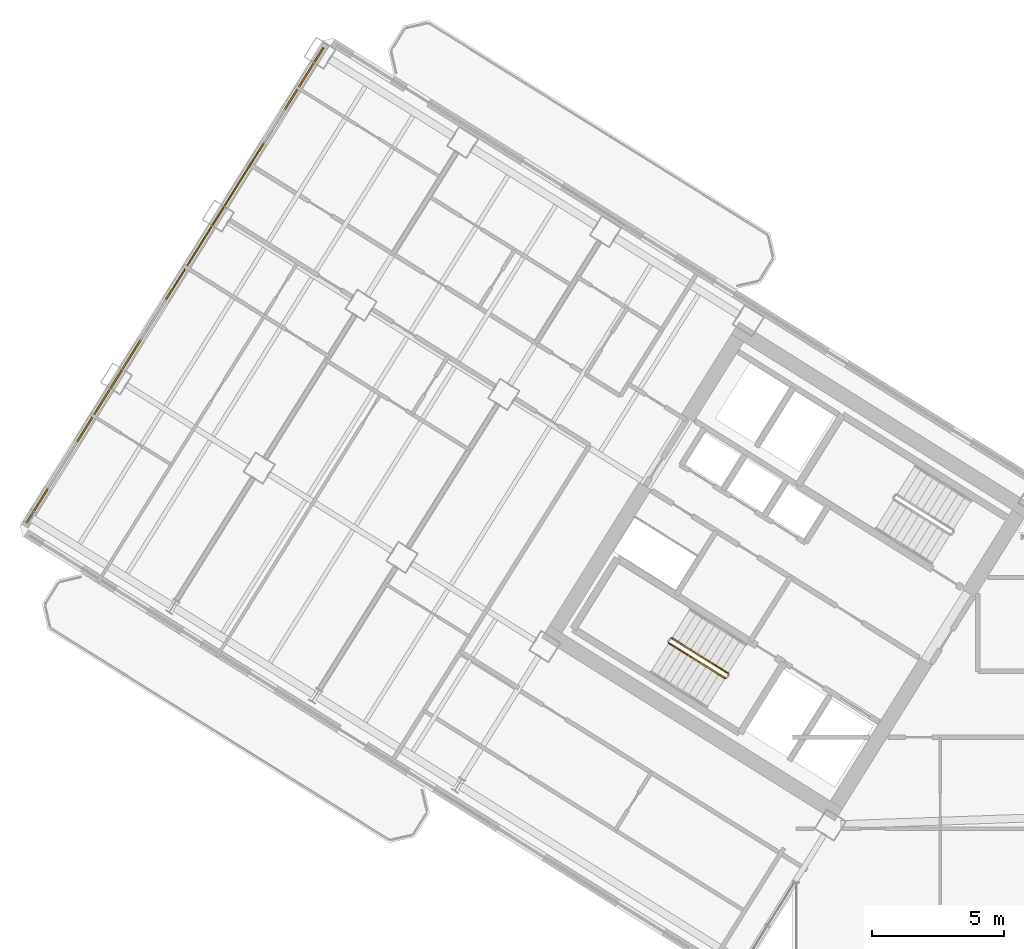
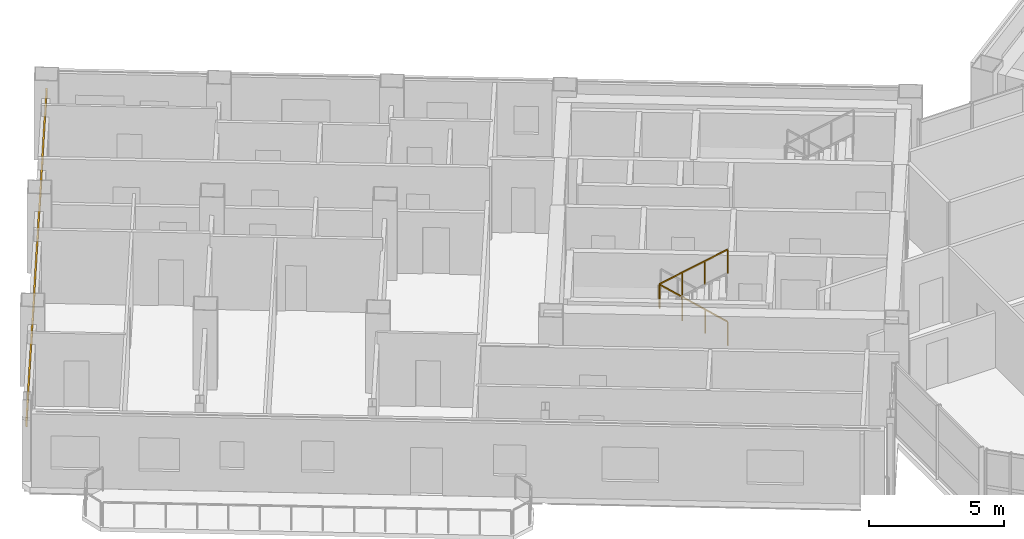
# One storey, part 24 of 29: 2 railings, 1 covering.
"""IFC4 building model written with IfcOpenShell, lengths in metres."""

from ifc_helpers import new_model, si_unit, direction, frame, origin, origin_2d, place, context, subcontext, project, spatial, rectangle, extrude, source, transform, mapped, material, layer, layer_set, type_object, element, save


model = new_model("IFC4")

# Units and contexts
model_context = context("Model", 3, precision=1e-05, world=origin(), true_north=direction((0.0, 1.0)))
body_context = subcontext(model_context, "Body", "Model", "MODEL_VIEW")
ifc_project = project(units=[si_unit("LENGTHUNIT", "METRE"), si_unit("AREAUNIT", "SQUARE_METRE"), si_unit("VOLUMEUNIT", "CUBIC_METRE"), si_unit("PLANEANGLEUNIT", "RADIAN"), si_unit("MASSUNIT", "GRAM", prefix="KILO")], contexts=[model_context])

# Site, building, storey
site_placement = place(None, origin())
site = spatial("IfcSite", under=ifc_project, at=site_placement, CompositionType="ELEMENT")
building_placement = place(site_placement, origin())
building = spatial("IfcBuilding", under=site, at=building_placement, Name="Tlacorven Tower", CompositionType="ELEMENT")
storey_placement = place(building_placement, frame((0.0, 0.0, 165.89990234375)))
storey = spatial("IfcBuildingStorey", under=building, at=storey_placement, Name="L42", CompositionType="ELEMENT", Elevation=165.89990234375)

# Covering
ifc_material_1 = material(Name="Precast concrete C45/55", Category="concrete")
ifc_layer = layer(ifc_material_1, 0.06005859375)
ifc_layer_set = layer_set([ifc_layer], Name="Precast concrete C45/55")
covering_type = type_object("IfcCoveringType", Name="CV-CLD-TERC", PredefinedType="CLADDING", material=ifc_layer_set)
shared_shape_1 = source(origin(), body_context, "Body", "SweptSolid", [
    extrude(rectangle(XDim=21.287353515625, YDim=0.06005859375, at=origin_2d()), origin(), (0.0, 0.0, 1.0), 0.419921875),
])
covering_placement = place(storey_placement, frame((8.13427734375, 32.606201171875, 2.375244140625), z_axis=(0.0, 0.0, 1.0), x_axis=(0.529918940959, 0.84804829816, 0.0)))
element("IfcCovering", 1, at=covering_placement, inside=storey, type_object=covering_type, Name="L42 Masonry-Frame Spandrel Cladding 2", PredefinedType="CLADDING", context=body_context, shape_type="MappedRepresentation", body=[
    mapped(shared_shape_1, transform((0.0, 0.0, 0.0), scale=1.0)),
])

# Railings
ifc_material_2 = material(Name="Aluminium and painted steel balustrade", Category="steel")
railing_type = type_object("IfcRailingType", Name="RL-GRD-1100", PredefinedType="GUARDRAIL", material=ifc_material_2)
shared_shape_2 = source(origin(), body_context, "Body", "SweptSolid", [
    extrude(rectangle(XDim=0.048095703125, YDim=0.048095703125, at=origin_2d()), frame((0.0, 0.0, 1.076171875), z_axis=(0.713359751793, -0.4457479829, 0.540764828981), x_axis=(0.529911857636, 0.848052724267, 0.0)), (0.0, 0.0, 1.0), 2.99609375),
    extrude(rectangle(XDim=0.0419921875, YDim=0.0419921875, at=origin_2d()), origin(), (0.0, 0.0, 1.0), 1.052001953125),
    extrude(rectangle(XDim=0.0419921875, YDim=0.0419921875, at=origin_2d()), frame((0.71240234375, -0.445068359375, 0.5400390625)), (0.0, 0.0, 1.0), 1.052001953125),
    extrude(rectangle(XDim=0.0419921875, YDim=0.0419921875, at=origin_2d()), frame((1.4248046875, -0.890380859375, 1.080078125)), (0.0, 0.0, 1.0), 1.052001953125),
    extrude(rectangle(XDim=0.0419921875, YDim=0.0419921875, at=origin_2d()), frame((2.13720703125, -1.33544921875, 1.6201171875)), (0.0, 0.0, 1.0), 1.052001953125),
])
railing_1_placement = place(storey_placement, frame((26.906982421875, 19.000732421875, 1.97998046875)))
element("IfcRailing", 2, at=railing_1_placement, inside=storey, type_object=railing_type, Name="L42 ST-W1 stair guard 3", PredefinedType="GUARDRAIL", context=body_context, shape_type="MappedRepresentation", body=[
    mapped(shared_shape_2, transform((0.0, 0.0, 0.0), scale=1.0)),
])
shared_shape_3 = source(origin(), body_context, "Body", "SweptSolid", [
    extrude(rectangle(XDim=0.048095703125, YDim=0.048095703125, at=origin_2d()), frame((0.0, 0.0, 1.076171875), z_axis=(-0.713351164325, 0.445793541512, 0.540738601085), x_axis=(-0.529955395941, -0.84802551749, 0.0)), (0.0, 0.0, 1.0), 2.99560546875),
    extrude(rectangle(XDim=0.0419921875, YDim=0.0419921875, at=origin_2d()), origin(), (0.0, 0.0, 1.0), 1.052001953125),
    extrude(rectangle(XDim=0.0419921875, YDim=0.0419921875, at=origin_2d()), frame((-0.71240234375, 0.445068359375, 0.5400390625)), (0.0, 0.0, 1.0), 1.052001953125),
    extrude(rectangle(XDim=0.0419921875, YDim=0.0419921875, at=origin_2d()), frame((-1.424560546875, 0.890380859375, 1.079833984375)), (0.0, 0.0, 1.0), 1.052001953125),
    extrude(rectangle(XDim=0.0419921875, YDim=0.0419921875, at=origin_2d()), frame((-2.136962890625, 1.33544921875, 1.619873046875)), (0.0, 0.0, 1.0), 1.052001953125),
])
railing_2_placement = place(storey_placement, frame((29.16064453125, 17.851806640625, 0.18017578125)))
element("IfcRailing", 3, at=railing_2_placement, inside=storey, type_object=railing_type, Name="L42 ST-W1 stair guard 1", PredefinedType="GUARDRAIL", context=body_context, shape_type="MappedRepresentation", body=[
    mapped(shared_shape_3, transform((0.0, 0.0, 0.0), scale=1.0)),
])

save(model, "model.ifc")
